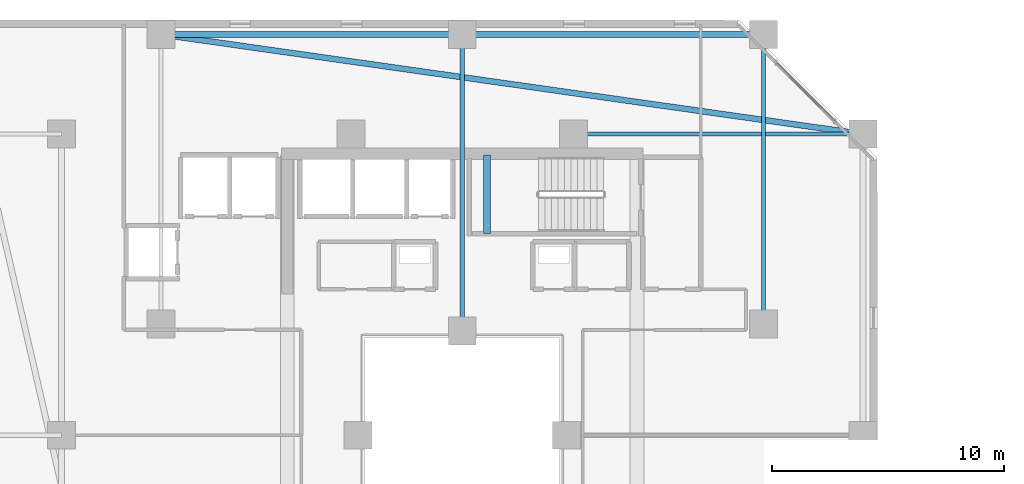
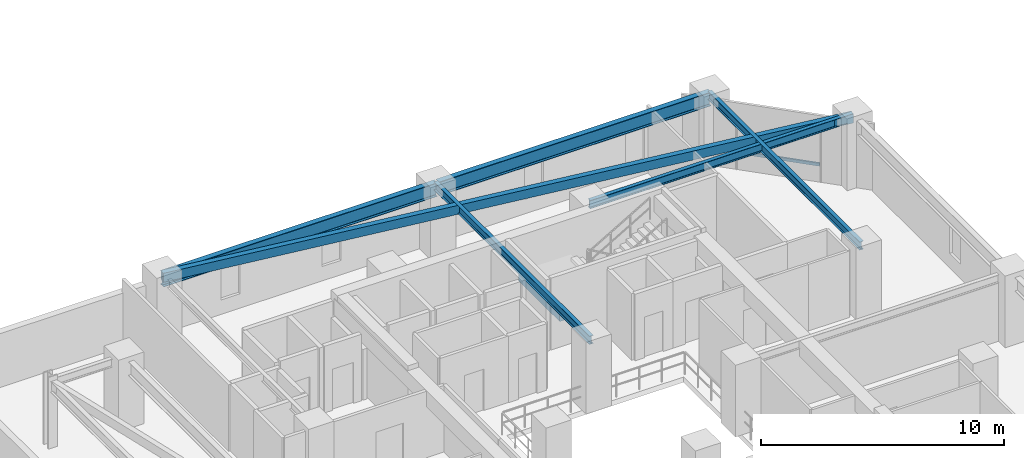
# One storey, part 8 of 32: 7 beams, 1 member, 1 element without a shape of its own.
"""IFC4 building model written with IfcOpenShell, lengths in metres."""

from ifc_helpers import new_model, si_unit, direction, frame, origin, origin_2d, place, context, subcontext, project, spatial, rectangle, hollow_rectangle, i_section, extrude, material, material_profile, profile_set, type_object, element, aggregate, save


model = new_model("IFC4")

# Units and contexts
model_context = context("Model", 3, precision=1e-05, world=origin(), true_north=direction((0.0, 1.0)))
body_context = subcontext(model_context, "Body", "Model", "MODEL_VIEW")
ifc_project = project(units=[si_unit("LENGTHUNIT", "METRE"), si_unit("AREAUNIT", "SQUARE_METRE"), si_unit("VOLUMEUNIT", "CUBIC_METRE"), si_unit("PLANEANGLEUNIT", "RADIAN"), si_unit("MASSUNIT", "GRAM", prefix="KILO")], contexts=[model_context])

# Site, building, storey
site_placement = place(None, origin())
site = spatial("IfcSite", under=ifc_project, at=site_placement, CompositionType="ELEMENT")
building_placement = place(site_placement, origin())
building = spatial("IfcBuilding", under=site, at=building_placement, Name="Thornwick Lancets Civic Towers", CompositionType="ELEMENT")
storey_placement = place(building_placement, frame((0.0, 0.0, 123.300048828125)))
storey = spatial("IfcBuildingStorey", under=building, at=storey_placement, Name="L32", CompositionType="ELEMENT", Elevation=123.300048828125)

# Beams
ifc_material_1 = material(Name="Steel S355JR", Category="steel")
ifc_material_profile_1 = material_profile(ifc_material_1, i_section(OverallWidth=0.255859375, OverallDepth=0.69287109375, WebThickness=0.014404296875, FlangeThickness=0.023681640625, FilletRadius=0.01513671875, at=origin_2d()), Name="UKB 686x254x170")
ifc_profile_set_1 = profile_set([ifc_material_profile_1], Name="Steel S355JR")
beam_type_1 = type_object("IfcBeamType", Name="BM_GIRD_686_170", PredefinedType="BEAM", material=ifc_profile_set_1)
beam_1_placement = place(storey_placement, frame((12.5, 44.300048828125, 3.013427734375), z_axis=(1.0, 0.0, 0.0), x_axis=(0.0, 1.0, 0.0)))
element("IfcBeam", 1, at=beam_1_placement, inside=storey, type_object=beam_type_1, Name="BM-SPINE-L32-A-6-7", PredefinedType="BEAM", context=body_context, shape_type="SweptSolid", body=[
    extrude(i_section(OverallWidth=0.255859375, OverallDepth=0.69287109375, WebThickness=0.014404296875, FlangeThickness=0.023681640625, FilletRadius=0.01513671875, at=origin_2d()), origin(), (0.0, 0.0, 1.0), 13.0),
])
beam_2_placement = place(storey_placement, frame((25.580078125, 44.300048828125, 3.013427734375), z_axis=(1.0, 0.0, 0.0), x_axis=(0.0, 1.0, 0.0)))
element("IfcBeam", 2, at=beam_2_placement, inside=storey, type_object=beam_type_1, Name="BM-SPINE-L32-A-7-8", PredefinedType="BEAM", context=body_context, shape_type="SweptSolid", body=[
    extrude(i_section(OverallWidth=0.255859375, OverallDepth=0.69287109375, WebThickness=0.014404296875, FlangeThickness=0.023681640625, FilletRadius=0.01513671875, at=origin_2d()), origin(), (0.0, 0.0, 1.0), 12.919921875),
])
ifc_material_profile_2 = material_profile(ifc_material_1, i_section(OverallWidth=0.179443359375, OverallDepth=0.412841796875, WebThickness=0.009521484375, FlangeThickness=0.01611328125, FilletRadius=0.01025390625, at=origin_2d()), Name="UKB 406x178x74")
ifc_profile_set_2 = profile_set([ifc_material_profile_2], Name="Steel S355JR")
beam_type_2 = type_object("IfcBeamType", Name="BM_JOIST_406_74", PredefinedType="JOIST", material=ifc_profile_set_2)
beam_3_placement = place(storey_placement, frame((30.300048828125, 40.0, 3.153564453125), z_axis=(1.0, 0.0, 0.0), x_axis=(0.0, 1.0, 0.0)))
element("IfcBeam", 3, at=beam_3_placement, inside=storey, type_object=beam_type_2, Name="BM-RADIN-L32-A06", PredefinedType="JOIST", context=body_context, shape_type="SweptSolid", body=[
    extrude(i_section(OverallWidth=0.179443359375, OverallDepth=0.412841796875, WebThickness=0.009521484375, FlangeThickness=0.01611328125, FilletRadius=0.01025390625, at=origin_2d()), origin(), (0.0, 0.0, 1.0), 12.5),
])
beam_4_placement = place(storey_placement, frame((25.5, 31.5, 3.153564453125), z_axis=(0.0, 1.0, 0.0), x_axis=(-1.0, 0.0, 0.0)))
element("IfcBeam", 4, at=beam_4_placement, inside=storey, type_object=beam_type_2, Name="BM-RADIN-L32-A08", PredefinedType="JOIST", context=body_context, shape_type="SweptSolid", body=[
    extrude(i_section(OverallWidth=0.179443359375, OverallDepth=0.412841796875, WebThickness=0.009521484375, FlangeThickness=0.01611328125, FilletRadius=0.01025390625, at=origin_2d()), origin(), (0.0, 0.0, 1.0), 12.800048828125),
])
beam_5_placement = place(storey_placement, frame((38.5, 31.800048828125, 3.153564453125), z_axis=(0.0, 1.0, 0.0), x_axis=(-1.0, 0.0, 0.0)))
element("IfcBeam", 5, at=beam_5_placement, inside=storey, type_object=beam_type_2, Name="BM-RADIN-L32-A09", PredefinedType="JOIST", context=body_context, shape_type="SweptSolid", body=[
    extrude(i_section(OverallWidth=0.179443359375, OverallDepth=0.412841796875, WebThickness=0.009521484375, FlangeThickness=0.01611328125, FilletRadius=0.01025390625, at=origin_2d()), origin(), (0.0, 0.0, 1.0), 12.5),
])
ifc_material_profile_3 = material_profile(ifc_material_1, hollow_rectangle(XDim=0.25, YDim=0.449951171875, WallThickness=0.01611328125, at=origin_2d()), Name="RHS 450x250x16")
ifc_profile_set_3 = profile_set([ifc_material_profile_3], Name="Steel S355JR")
beam_type_3 = type_object("IfcBeamType", Name="BM_RING_RHS450", PredefinedType="BEAM", material=ifc_profile_set_3)
beam_6_placement = place(storey_placement, frame((42.800048828125, 40.0, 3.135009765625), z_axis=(-0.990079584012, 0.140507712682, 0.0), x_axis=(-0.140507712682, -0.990079584012, 0.0)))
element("IfcBeam", 6, at=beam_6_placement, inside=storey, type_object=beam_type_3, Name="BM-CHAMF-L32-A-C1", PredefinedType="BEAM", context=body_context, shape_type="SweptSolid", body=[
    extrude(hollow_rectangle(XDim=0.25, YDim=0.449951171875, WallThickness=0.01611328125, at=origin_2d()), origin(), (0.0, 0.0, 1.0), 30.603759765625),
])
ifc_material_2 = material(Name="Concrete C40/50", Category="concrete")
ifc_material_profile_4 = material_profile(ifc_material_2, rectangle(XDim=0.300048828125, YDim=0.35009765625, at=origin_2d()), Name="RC 300x350")
ifc_profile_set_4 = profile_set([ifc_material_profile_4], Name="Concrete C40/50")
beam_type_4 = type_object("IfcBeamType", Name="BM_STAIR_LDG", PredefinedType="BEAM", material=ifc_profile_set_4)
beam_7_placement = place(storey_placement, frame((26.56494140625, 39.10009765625, 1.3779296875), z_axis=(0.0, -1.0, 0.0), x_axis=(1.0, 0.0, 0.0)))
element("IfcBeam", 7, at=beam_7_placement, inside=storey, type_object=beam_type_4, Name="L32 ST-A2 Landing Support Beam 1", PredefinedType="BEAM", context=body_context, shape_type="SweptSolid", body=[
    extrude(rectangle(XDim=0.300048828125, YDim=0.35009765625, at=origin_2d()), origin(), (0.0, 0.0, 1.0), 3.400146484375),
])

# Curtain wall, member
ifc_material_3 = material(Name="Mid-zone chamfered-corner unitised glass curtain wall", Category="glass")
curtain_wall_type = type_object("IfcCurtainWallType", Name="CW_SYS_04", PredefinedType="NOTDEFINED", material=ifc_material_3)
curtain_wall_placement = place(storey_placement, origin())
curtain_wall = element("IfcCurtainWall", 8, at=curtain_wall_placement, inside=storey, type_object=curtain_wall_type, Name="L32 Curtain Wall CW-L32-A-E3", PredefinedType="NOTDEFINED")
ifc_material_4 = material(Name="Thermally broken bronze aluminium S355", Category="steel")
ifc_material_profile_5 = material_profile(ifc_material_4, hollow_rectangle(XDim=0.074951171875, YDim=0.14990234375, WallThickness=0.0048828125, at=origin_2d()), Name="RHS 150x75x5")
ifc_profile_set_5 = profile_set([ifc_material_profile_5], Name="Thermally broken bronze aluminium S355")
member_type = type_object("IfcMemberType", Name="CW_TRN_150", PredefinedType="USERDEFINED", material=ifc_profile_set_5)
member_placement = place(storey_placement, frame((41.56494140625, 40.56103515625, 0.849853515625), z_axis=(-0.707106781187, 0.707106781187, 0.0), x_axis=(-0.707106781187, -0.707106781187, 0.0)))
member = element("IfcMember", 9, at=member_placement, type_object=member_type, Name="CW-L32-A-E3 Transom 0", ObjectType="TRANSOM", PredefinedType="USERDEFINED", context=body_context, shape_type="SweptSolid", body=[
    extrude(hollow_rectangle(XDim=0.074951171875, YDim=0.14990234375, WallThickness=0.0048828125, at=origin_2d()), origin(), (0.0, 0.0, 1.0), 3.541015625),
])
aggregate(curtain_wall, [member])

save(model, "model.ifc")
